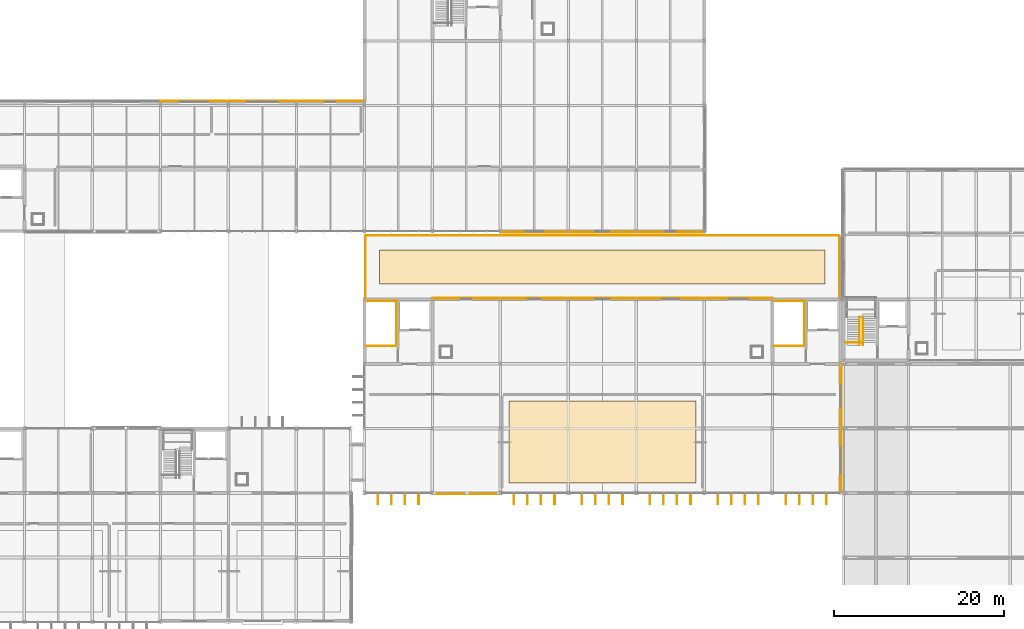
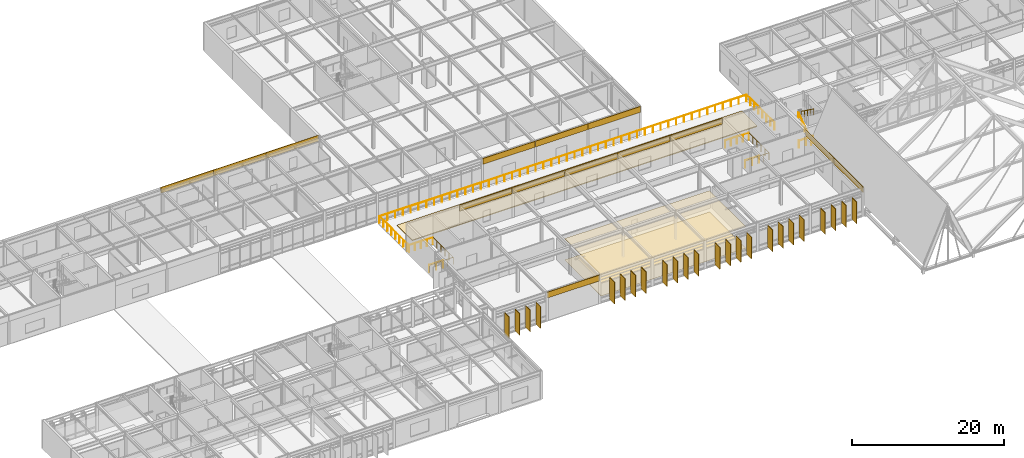
# One storey, part 97 of 100: 24 shading devices, 17 coverings, 10 railings.
"""IFC4 building model written with IfcOpenShell, lengths in metres."""

import ifcopenshell
import ifcopenshell.guid

model = None  # the IFC model being written
_history = None  # IfcOwnerHistory: only IFC2X3 demands one
_inside = {}  # id of a spatial element -> (the spatial element, [elements in it])
_under = {}  # id of a project, library or spatial element -> (it, [spatial elements below it])
_declared = {}  # id of a project -> (the project, [libraries it declares])
_typed = {}  # id of a type object -> (the type object, [elements of that type])
_made_of = {}  # id of a material, layer set ... -> (it, [elements and type objects made of it])


def new_model(schema):
    """Start an empty IFC model of exactly this schema.

    Asked for "IFC4X3", IfcOpenShell would pick the latest addendum, in which some entities
    have other attributes; the version numbers below select the first issue.
    IFC2X3 requires an IfcOwnerHistory on every rooted entity: one is made here for all.
    """
    global model, _history
    if schema == "IFC4X3":
        model = ifcopenshell.file(schema_version=(4, 3, 0, 0))
    else:
        model = ifcopenshell.file(schema=schema)
    _inside.clear()
    _under.clear()
    _declared.clear()
    _typed.clear()
    _made_of.clear()
    _history = None
    if model.schema == "IFC2X3":
        org = make("IfcOrganization", Name="unknown")
        user = make(
            "IfcPersonAndOrganization",
            ThePerson=make("IfcPerson", FamilyName="unknown"),
            TheOrganization=org,
        )
        app = make(
            "IfcApplication",
            ApplicationDeveloper=org,
            Version="unknown",
            ApplicationFullName="unknown",
            ApplicationIdentifier="unknown",
        )
        _history = make(
            "IfcOwnerHistory",
            OwningUser=user,
            OwningApplication=app,
            ChangeAction="ADDED",
            CreationDate=0,
        )
    return model


def make(cls, **values):
    """One entity of the class cls with the attributes given. An attribute that is None is left unset."""
    return model.create_entity(
        cls, **{name: value for name, value in values.items() if value is not None}
    )


def rooted(cls, **values):
    """An entity with a GlobalId (a new one), such as an element, a storey or a relation."""
    return make(cls, GlobalId=ifcopenshell.guid.new(), OwnerHistory=_history, **values)


def si_unit(unit_type, name, prefix=None):
    """IfcSIUnit, for example si_unit("LENGTHUNIT", "METRE", prefix="MILLI")."""
    return make("IfcSIUnit", UnitType=unit_type, Prefix=prefix, Name=name)


def assignment(units):
    """IfcUnitAssignment: the units of a project."""
    return None if units is None else make("IfcUnitAssignment", Units=units)


def point(xyz):
    """IfcCartesianPoint."""
    return None if xyz is None else make("IfcCartesianPoint", Coordinates=xyz)


def direction(xyz):
    """IfcDirection."""
    return None if xyz is None else make("IfcDirection", DirectionRatios=xyz)


def frame(location, z_axis=None, x_axis=None):
    """IfcAxis2Placement3D, a coordinate frame: its origin and axes. An axis left out is left unset."""
    return make(
        "IfcAxis2Placement3D",
        Location=point(location),
        Axis=direction(z_axis),
        RefDirection=direction(x_axis),
    )


def frame_2d(location, x_axis=None):
    """IfcAxis2Placement2D, a coordinate frame in the plane: its origin and x axis."""
    return make(
        "IfcAxis2Placement2D", Location=point(location), RefDirection=direction(x_axis)
    )


def origin():
    """The frame at (0, 0, 0) with its axes left unset."""
    return frame((0.0, 0.0, 0.0))


def origin_2d():
    """The frame at (0, 0) in the plane with its x axis left unset."""
    return frame_2d((0.0, 0.0))


def place(relative_to, where):
    """IfcLocalPlacement: puts the frame where relative to a parent placement (None: the world)."""
    return make(
        "IfcLocalPlacement", PlacementRelTo=relative_to, RelativePlacement=where
    )


def context(
    kind, dimensions, precision=None, world=None, true_north=None, identifier=None
):
    """IfcGeometricRepresentationContext, for example the 3D "Model" context."""
    return make(
        "IfcGeometricRepresentationContext",
        ContextIdentifier=identifier,
        ContextType=kind,
        CoordinateSpaceDimension=dimensions,
        Precision=precision,
        WorldCoordinateSystem=world,
        TrueNorth=true_north,
    )


def subcontext(parent, identifier, kind, view, scale=None):
    """IfcGeometricRepresentationSubContext, for example "Body" below "Model"."""
    return make(
        "IfcGeometricRepresentationSubContext",
        ContextIdentifier=identifier,
        ContextType=kind,
        ParentContext=parent,
        TargetScale=scale,
        TargetView=view,
    )


def project(units=None, contexts=None):
    """IfcProject with its units and contexts."""
    return rooted(
        "IfcProject",
        Name="project",
        RepresentationContexts=contexts,
        UnitsInContext=assignment(units),
    )


def spatial(cls, under=None, at=None, **own):
    """A site, building, storey or space (cls), placed at a placement, below another one or the project."""
    s = rooted(cls, ObjectPlacement=at, **own)
    if under is not None:
        _under.setdefault(under.id(), (under, []))[1].append(s)
    return s


def polyline(points):
    """IfcPolyline through the points."""
    return make("IfcPolyline", Points=[point(p) for p in points])


def profile(cls, at=None, kind="AREA", **sizes):
    """A parametric profile (cls). Its sizes go by their IFC names, for example OverallWidth=200.0."""
    return make(cls, ProfileType=kind, Position=at, **sizes)


def rectangle(**sizes):
    """IfcRectangleProfileDef."""
    return profile("IfcRectangleProfileDef", **sizes)


def circle(**sizes):
    """IfcCircleProfileDef."""
    return profile("IfcCircleProfileDef", **sizes)


def outline(outer, holes=None, kind="AREA"):
    """IfcArbitraryClosedProfileDef: a profile drawn as a closed curve; with holes, ...WithVoids."""
    if holes is None:
        return make("IfcArbitraryClosedProfileDef", ProfileType=kind, OuterCurve=outer)
    return make(
        "IfcArbitraryProfileDefWithVoids",
        ProfileType=kind,
        OuterCurve=outer,
        InnerCurves=holes,
    )


def extrude(swept, where, along, depth):
    """IfcExtrudedAreaSolid: the profile swept, set in the frame where, extruded along a direction by depth."""
    return make(
        "IfcExtrudedAreaSolid",
        SweptArea=swept,
        Position=where,
        ExtrudedDirection=direction(along),
        Depth=depth,
    )


def shape(context_of_items, identifier, shape_type, items):
    """IfcShapeRepresentation: the items that make up one representation, for example the "Body"."""
    return make(
        "IfcShapeRepresentation",
        ContextOfItems=context_of_items,
        RepresentationIdentifier=identifier,
        RepresentationType=shape_type,
        Items=items,
    )


def material(Name=None, Category=None):
    """IfcMaterial."""
    return make("IfcMaterial", Name=Name, Category=Category)


def layer(
    of_material, thickness, ventilated=None, Name=None, Category=None, Priority=None
):
    """IfcMaterialLayer: one layer of a wall or slab, of a material (None: an air gap)."""
    return make(
        "IfcMaterialLayer",
        Material=of_material,
        LayerThickness=thickness,
        IsVentilated=ventilated,
        Name=Name,
        Category=Category,
        Priority=Priority,
    )


def layer_set(layers, Name=None):
    """IfcMaterialLayerSet."""
    return make("IfcMaterialLayerSet", MaterialLayers=layers, LayerSetName=Name)


def made_of(thing, what):
    """Note that an element or type object is made of a material, layer set ...; save() writes the relation."""
    if what is not None:
        _made_of.setdefault(what.id(), (what, []))[1].append(thing)
    return thing


def type_object(cls, material=None, **own):
    """A type object (cls), such as IfcWallType, which elements share."""
    return made_of(rooted(cls, **own), material)


def element(
    cls,
    number,
    at=None,
    inside=None,
    cuts=None,
    type_object=None,
    material=None,
    context=None,
    identifier="Body",
    shape_type=None,
    held_by="IfcProductDefinitionShape",
    body=None,
    shapes=None,
    **own,
):
    """One element of the class cls, such as IfcWall. Its Tag is "e" and its number.

    at: its placement. inside: the storey or other place that contains it. cuts: it is an
    opening in that element (IfcRelVoidsElement). A single representation is given by context,
    identifier, shape_type and body (its items); several are given by shapes. held_by: the class
    of the entity that holds the representations. save() writes the other relations.
    """
    e = rooted(cls, Tag="e%d" % number, ObjectPlacement=at, **own)
    if body is not None:
        shapes = [shape(context, identifier, shape_type, body)]
    if shapes is not None:
        e.Representation = make(held_by, Representations=shapes)
    if inside is not None:
        _inside.setdefault(inside.id(), (inside, []))[1].append(e)
    if cuts is not None:
        rooted(
            "IfcRelVoidsElement", RelatingBuildingElement=cuts, RelatedOpeningElement=e
        )
    if type_object is not None:
        _typed.setdefault(type_object.id(), (type_object, []))[1].append(e)
    return made_of(e, material)


def aggregate(whole, parts):
    """IfcRelAggregates: a whole, such as a stair, and the parts it consists of."""
    return rooted("IfcRelAggregates", RelatingObject=whole, RelatedObjects=parts)


def save(model, path):
    """Write the relations noted so far, then the file.

    IfcRelAggregates (storeys below a building ...), IfcRelContainedInSpatialStructure (elements
    in a storey), IfcRelDefinesByType, IfcRelAssociatesMaterial and IfcRelDeclares: one each for
    every whole, place, type object, material and project.
    """
    for whole, parts in _under.values():
        aggregate(whole, parts)
    for where, things in _inside.values():
        rooted(
            "IfcRelContainedInSpatialStructure",
            RelatedElements=things,
            RelatingStructure=where,
        )
    for kind, things in _typed.values():
        rooted("IfcRelDefinesByType", RelatedObjects=things, RelatingType=kind)
    for what, things in _made_of.values():
        rooted("IfcRelAssociatesMaterial", RelatedObjects=things, RelatingMaterial=what)
    for by, libraries in _declared.values():
        rooted("IfcRelDeclares", RelatingContext=by, RelatedDefinitions=libraries)
    model.write(path)


model = new_model("IFC4")

# Units and contexts
model_context = context("Model", 3, precision=1e-05, world=origin(), true_north=direction((0.0, 1.0)))
body_context = subcontext(model_context, "Body", "Model", "MODEL_VIEW")
ifc_project = project(units=[si_unit("LENGTHUNIT", "METRE"), si_unit("AREAUNIT", "SQUARE_METRE"), si_unit("VOLUMEUNIT", "CUBIC_METRE"), si_unit("PLANEANGLEUNIT", "RADIAN"), si_unit("MASSUNIT", "GRAM", prefix="KILO")], contexts=[model_context])

# Site, building, storey
site_placement = place(None, origin())
site = spatial("IfcSite", under=ifc_project, at=site_placement, CompositionType="ELEMENT")
building_placement = place(site_placement, origin())
building = spatial("IfcBuilding", under=site, at=building_placement, Name="Zulena Civic Courthouse", CompositionType="ELEMENT")
storey_placement = place(building_placement, frame((0.0, 0.0, 20.39990234375)))
storey = spatial("IfcBuildingStorey", under=building, at=storey_placement, Name="L04", CompositionType="ELEMENT", Elevation=20.39990234375)

# Covering
ifc_material_1 = material(Name="Perforated acoustic mineral-fibre ceiling tile", Category="concrete")
ifc_layer_1 = layer(ifc_material_1, 0.02490234375)
ifc_layer_set_1 = layer_set([ifc_layer_1], Name="Perforated acoustic mineral-fibre ceiling tile")
covering_type_1 = type_object("IfcCoveringType", Name="AcousticCeiling_25", PredefinedType="CEILING", material=ifc_layer_set_1)
covering_1_placement = place(storey_placement, frame((0.0, 0.0, 3.420166015625)))
element("IfcCovering", 1, at=covering_1_placement, inside=storey, type_object=covering_type_1, Name="ceil:L04:255", PredefinedType="CEILING", context=body_context, shape_type="SweptSolid", body=[
    extrude(outline(polyline([(85.0, 16.39990234375), (107.0, 16.39990234375), (107.0, 26.0), (85.0, 26.0), (85.0, 16.39990234375)])), origin(), (0.0, 0.0, 1.0), 0.02490234375),
])

# Shading devices
ifc_material_2 = material(Name="Gold anodised architectural aluminium AA6063-T6", Category="aluminium")
shading_device_type = type_object("IfcShadingDeviceType", Name="GoldSolarFin_350", PredefinedType="USERDEFINED", material=ifc_material_2)
for number, where, z_axis, x_axis, name in (
    (2, (122.392822265625, 14.514892578125, 0.050048828125), (0.0, 0.0, 1.0), (0.0, -1.0, 0.0), "fin:V4:L04:3:0:1"),
    (3, (120.797607421875, 14.514892578125, 0.050048828125), (0.0, 0.0, 1.0), (0.0, -1.0, 0.0), "fin:V4:L04:3:0:2"),
    (4, (119.202392578125, 14.514892578125, 0.050048828125), (0.0, 0.0, 1.0), (0.0, -1.0, 0.0), "fin:V4:L04:3:0:3"),
    (5, (117.607177734375, 14.514892578125, 0.050048828125), (0.0, 0.0, 1.0), (0.0, -1.0, 0.0), "fin:V4:L04:3:0:4"),
    (6, (114.392822265625, 14.514892578125, 0.050048828125), (0.0, 0.0, 1.0), (0.0, -1.0, 0.0), "fin:V4:L04:3:1:1"),
    (7, (112.797607421875, 14.514892578125, 0.050048828125), (0.0, 0.0, 1.0), (0.0, -1.0, 0.0), "fin:V4:L04:3:1:2"),
    (8, (111.202392578125, 14.514892578125, 0.050048828125), (0.0, 0.0, 1.0), (0.0, -1.0, 0.0), "fin:V4:L04:3:1:3"),
    (9, (109.607177734375, 14.514892578125, 0.050048828125), (0.0, 0.0, 1.0), (0.0, -1.0, 0.0), "fin:V4:L04:3:1:4"),
    (10, (106.392822265625, 14.514892578125, 0.050048828125), (0.0, 0.0, 1.0), (0.0, -1.0, 0.0), "fin:V4:L04:3:2:1"),
    (11, (104.797607421875, 14.514892578125, 0.050048828125), (0.0, 0.0, 1.0), (0.0, -1.0, 0.0), "fin:V4:L04:3:2:2"),
    (12, (103.202392578125, 14.514892578125, 0.050048828125), (0.0, 0.0, 1.0), (0.0, -1.0, 0.0), "fin:V4:L04:3:2:3"),
    (13, (101.607177734375, 14.514892578125, 0.050048828125), (0.0, 0.0, 1.0), (0.0, -1.0, 0.0), "fin:V4:L04:3:2:4"),
    (14, (98.392822265625, 14.514892578125, 0.050048828125), (0.0, 0.0, 1.0), (0.0, -1.0, 0.0), "fin:V4:L04:3:3:1"),
    (15, (96.797607421875, 14.514892578125, 0.050048828125), (0.0, 0.0, 1.0), (0.0, -1.0, 0.0), "fin:V4:L04:3:3:2"),
    (16, (95.202392578125, 14.514892578125, 0.050048828125), (0.0, 0.0, 1.0), (0.0, -1.0, 0.0), "fin:V4:L04:3:3:3"),
    (17, (93.607177734375, 14.514892578125, 0.050048828125), (0.0, 0.0, 1.0), (0.0, -1.0, 0.0), "fin:V4:L04:3:3:4"),
    (18, (90.392822265625, 14.514892578125, 0.050048828125), (0.0, 0.0, 1.0), (0.0, -1.0, 0.0), "fin:V4:L04:3:4:1"),
    (19, (88.797607421875, 14.514892578125, 0.050048828125), (0.0, 0.0, 1.0), (0.0, -1.0, 0.0), "fin:V4:L04:3:4:2"),
    (20, (87.202392578125, 14.514892578125, 0.050048828125), (0.0, 0.0, 1.0), (0.0, -1.0, 0.0), "fin:V4:L04:3:4:3"),
    (21, (85.607177734375, 14.514892578125, 0.050048828125), (0.0, 0.0, 1.0), (0.0, -1.0, 0.0), "fin:V4:L04:3:4:4"),
    (22, (74.392822265625, 14.514892578125, 0.050048828125), (0.0, 0.0, 1.0), (0.0, -1.0, 0.0), "fin:V4:L04:3:6:1"),
    (23, (72.797607421875, 14.514892578125, 0.050048828125), (0.0, 0.0, 1.0), (0.0, -1.0, 0.0), "fin:V4:L04:3:6:2"),
    (24, (71.202392578125, 14.514892578125, 0.050048828125), (0.0, 0.0, 1.0), (0.0, -1.0, 0.0), "fin:V4:L04:3:6:3"),
    (25, (69.607177734375, 14.514892578125, 0.050048828125), (0.0, 0.0, 1.0), (0.0, -1.0, 0.0), "fin:V4:L04:3:6:4"),
):
    element("IfcShadingDevice", number, at=place(storey_placement, frame(where, z_axis=z_axis, x_axis=x_axis)), inside=storey, type_object=shading_device_type, Name=name, ObjectType="FIN", PredefinedType="USERDEFINED", context=body_context, shape_type="SweptSolid", body=[
        extrude(rectangle(XDim=1.25, YDim=0.080078125, at=origin_2d()), origin(), (0.0, 0.0, 1.0), 3.5),
    ])

# Railings
ifc_material_3 = material(Name="Brushed architectural steel ASTM A36", Category="steel")
railing_type_1 = type_object("IfcRailingType", Name="InteriorGuardrail_1150", PredefinedType="GUARDRAIL", material=ifc_material_3)
railing_1_placement = place(storey_placement, frame((124.580078125, 32.89990234375, 0.0)))
element("IfcRailing", 26, at=railing_1_placement, inside=storey, type_object=railing_type_1, Name="gr:wells:K3A:L04", PredefinedType="GUARDRAIL", context=body_context, shape_type="SweptSolid", body=[
    extrude(circle(Radius=0.02392578125, at=origin_2d()), frame((0.00390625, 0.0, 1.1259765625), z_axis=(1.0, 0.0, 0.0), x_axis=(0.0, 1.0, 0.0)), (0.0, 0.0, 1.0), 2.11181640625),
    extrude(circle(Radius=0.02099609375, at=origin_2d()), origin(), (0.0, 0.0, 1.0), 1.097900390625),
    extrude(circle(Radius=0.02099609375, at=origin_2d()), frame((1.06005859375, 0.0, 0.0)), (0.0, 0.0, 1.0), 1.097900390625),
    extrude(circle(Radius=0.02099609375, at=origin_2d()), frame((2.119873046875, 0.0, 0.0)), (0.0, 0.0, 1.0), 1.097900390625),
])
railing_2_placement = place(storey_placement, frame((68.199951171875, 37.81005859375, 0.0)))
element("IfcRailing", 27, at=railing_2_placement, inside=storey, type_object=railing_type_1, Name="gr:wellN:K4A:L03", PredefinedType="GUARDRAIL", context=body_context, shape_type="SweptSolid", body=[
    extrude(circle(Radius=0.02392578125, at=origin_2d()), frame((0.00390625, 0.0, 1.1259765625), z_axis=(1.0, 0.0, 0.0), x_axis=(0.0, 1.0, 0.0)), (0.0, 0.0, 1.0), 3.592041015625),
    extrude(circle(Radius=0.02099609375, at=origin_2d()), origin(), (0.0, 0.0, 1.0), 1.097900390625),
    extrude(circle(Radius=0.02099609375, at=origin_2d()), frame((0.89990234375, 0.0, 0.0)), (0.0, 0.0, 1.0), 1.097900390625),
    extrude(circle(Radius=0.02099609375, at=origin_2d()), frame((1.800048828125, 0.0, 0.0)), (0.0, 0.0, 1.0), 1.097900390625),
    extrude(circle(Radius=0.02099609375, at=origin_2d()), frame((2.7001953125, 0.0, 0.0)), (0.0, 0.0, 1.0), 1.097900390625),
    extrude(circle(Radius=0.02099609375, at=origin_2d()), frame((3.60009765625, 0.0, 0.0)), (0.0, 0.0, 1.0), 1.097900390625),
])
railing_3_placement = place(storey_placement, frame((71.800048828125, 37.820068359375, 0.0)))
element("IfcRailing", 28, at=railing_3_placement, inside=storey, type_object=railing_type_1, Name="gr:topwell:K4A:L03", PredefinedType="GUARDRAIL", context=body_context, shape_type="SweptSolid", body=[
    extrude(circle(Radius=0.02392578125, at=origin_2d()), frame((0.0, -0.00390625, 1.1259765625), z_axis=(0.0, -1.0, 0.0), x_axis=(1.0, 0.0, 0.0)), (0.0, 0.0, 1.0), 5.33203125),
    extrude(circle(Radius=0.02392578125, at=origin_2d()), frame((-0.00390625, -5.340087890625, 1.1259765625), z_axis=(-1.0, 0.0, 0.0), x_axis=(0.0, -1.0, 0.0)), (0.0, 0.0, 1.0), 3.612060546875),
    extrude(circle(Radius=0.02099609375, at=origin_2d()), origin(), (0.0, 0.0, 1.0), 1.097900390625),
    extrude(circle(Radius=0.02099609375, at=origin_2d()), frame((0.0, -1.068115234375, 0.0)), (0.0, 0.0, 1.0), 1.097900390625),
    extrude(circle(Radius=0.02099609375, at=origin_2d()), frame((0.0, -2.135986328125, 0.0)), (0.0, 0.0, 1.0), 1.097900390625),
    extrude(circle(Radius=0.02099609375, at=origin_2d()), frame((0.0, -3.2041015625, 0.0)), (0.0, 0.0, 1.0), 1.097900390625),
    extrude(circle(Radius=0.02099609375, at=origin_2d()), frame((0.0, -4.27197265625, 0.0)), (0.0, 0.0, 1.0), 1.097900390625),
    extrude(circle(Radius=0.02099609375, at=origin_2d()), frame((0.0, -5.340087890625, 0.0)), (0.0, 0.0, 1.0), 1.097900390625),
    extrude(circle(Radius=0.02099609375, at=origin_2d()), frame((-0.905029296875, -5.340087890625, 0.0)), (0.0, 0.0, 1.0), 1.097900390625),
    extrude(circle(Radius=0.02099609375, at=origin_2d()), frame((-1.81005859375, -5.340087890625, 0.0)), (0.0, 0.0, 1.0), 1.097900390625),
    extrude(circle(Radius=0.02099609375, at=origin_2d()), frame((-2.715087890625, -5.340087890625, 0.0)), (0.0, 0.0, 1.0), 1.097900390625),
    extrude(circle(Radius=0.02099609375, at=origin_2d()), frame((-3.6201171875, -5.340087890625, 0.0)), (0.0, 0.0, 1.0), 1.097900390625),
])
railing_4_placement = place(storey_placement, frame((68.179931640625, 32.5, 0.0)))
element("IfcRailing", 29, at=railing_4_placement, inside=storey, type_object=railing_type_1, Name="gr:wells:K4A:L04", PredefinedType="GUARDRAIL", context=body_context, shape_type="SweptSolid", body=[
    extrude(circle(Radius=0.02392578125, at=origin_2d()), frame((0.00390625, 0.0, 1.1259765625), z_axis=(1.0, 0.0, 0.0), x_axis=(0.0, 1.0, 0.0)), (0.0, 0.0, 1.0), 2.112060546875),
    extrude(circle(Radius=0.02099609375, at=origin_2d()), origin(), (0.0, 0.0, 1.0), 1.097900390625),
    extrude(circle(Radius=0.02099609375, at=origin_2d()), frame((1.06005859375, 0.0, 0.0)), (0.0, 0.0, 1.0), 1.097900390625),
    extrude(circle(Radius=0.02099609375, at=origin_2d()), frame((2.1201171875, 0.0, 0.0)), (0.0, 0.0, 1.0), 1.097900390625),
])
railing_5_placement = place(storey_placement, frame((116.199951171875, 37.81005859375, 0.0)))
element("IfcRailing", 30, at=railing_5_placement, inside=storey, type_object=railing_type_1, Name="gr:wellN:K4B:L03", PredefinedType="GUARDRAIL", context=body_context, shape_type="SweptSolid", body=[
    extrude(circle(Radius=0.02392578125, at=origin_2d()), frame((0.00390625, 0.0, 1.1259765625), z_axis=(1.0, 0.0, 0.0), x_axis=(0.0, 1.0, 0.0)), (0.0, 0.0, 1.0), 3.592041015625),
    extrude(circle(Radius=0.02099609375, at=origin_2d()), origin(), (0.0, 0.0, 1.0), 1.097900390625),
    extrude(circle(Radius=0.02099609375, at=origin_2d()), frame((0.89990234375, 0.0, 0.0)), (0.0, 0.0, 1.0), 1.097900390625),
    extrude(circle(Radius=0.02099609375, at=origin_2d()), frame((1.800048828125, 0.0, 0.0)), (0.0, 0.0, 1.0), 1.097900390625),
    extrude(circle(Radius=0.02099609375, at=origin_2d()), frame((2.7001953125, 0.0, 0.0)), (0.0, 0.0, 1.0), 1.097900390625),
    extrude(circle(Radius=0.02099609375, at=origin_2d()), frame((3.60009765625, 0.0, 0.0)), (0.0, 0.0, 1.0), 1.097900390625),
])
railing_6_placement = place(storey_placement, frame((119.800048828125, 37.820068359375, 0.0)))
element("IfcRailing", 31, at=railing_6_placement, inside=storey, type_object=railing_type_1, Name="gr:topwell:K4B:L03", PredefinedType="GUARDRAIL", context=body_context, shape_type="SweptSolid", body=[
    extrude(circle(Radius=0.02392578125, at=origin_2d()), frame((0.0, -0.00390625, 1.1259765625), z_axis=(0.0, -1.0, 0.0), x_axis=(1.0, 0.0, 0.0)), (0.0, 0.0, 1.0), 5.33203125),
    extrude(circle(Radius=0.02392578125, at=origin_2d()), frame((-0.00390625, -5.340087890625, 1.1259765625), z_axis=(-1.0, 0.0, 0.0), x_axis=(0.0, -1.0, 0.0)), (0.0, 0.0, 1.0), 3.612060546875),
    extrude(circle(Radius=0.02099609375, at=origin_2d()), origin(), (0.0, 0.0, 1.0), 1.097900390625),
    extrude(circle(Radius=0.02099609375, at=origin_2d()), frame((0.0, -1.068115234375, 0.0)), (0.0, 0.0, 1.0), 1.097900390625),
    extrude(circle(Radius=0.02099609375, at=origin_2d()), frame((0.0, -2.135986328125, 0.0)), (0.0, 0.0, 1.0), 1.097900390625),
    extrude(circle(Radius=0.02099609375, at=origin_2d()), frame((0.0, -3.2041015625, 0.0)), (0.0, 0.0, 1.0), 1.097900390625),
    extrude(circle(Radius=0.02099609375, at=origin_2d()), frame((0.0, -4.27197265625, 0.0)), (0.0, 0.0, 1.0), 1.097900390625),
    extrude(circle(Radius=0.02099609375, at=origin_2d()), frame((0.0, -5.340087890625, 0.0)), (0.0, 0.0, 1.0), 1.097900390625),
    extrude(circle(Radius=0.02099609375, at=origin_2d()), frame((-0.905029296875, -5.340087890625, 0.0)), (0.0, 0.0, 1.0), 1.097900390625),
    extrude(circle(Radius=0.02099609375, at=origin_2d()), frame((-1.81005859375, -5.340087890625, 0.0)), (0.0, 0.0, 1.0), 1.097900390625),
    extrude(circle(Radius=0.02099609375, at=origin_2d()), frame((-2.715087890625, -5.340087890625, 0.0)), (0.0, 0.0, 1.0), 1.097900390625),
    extrude(circle(Radius=0.02099609375, at=origin_2d()), frame((-3.6201171875, -5.340087890625, 0.0)), (0.0, 0.0, 1.0), 1.097900390625),
])
railing_7_placement = place(storey_placement, frame((116.179931640625, 32.5, 0.0)))
element("IfcRailing", 32, at=railing_7_placement, inside=storey, type_object=railing_type_1, Name="gr:wells:K4B:L04", PredefinedType="GUARDRAIL", context=body_context, shape_type="SweptSolid", body=[
    extrude(circle(Radius=0.02392578125, at=origin_2d()), frame((0.00390625, 0.0, 1.1259765625), z_axis=(1.0, 0.0, 0.0), x_axis=(0.0, 1.0, 0.0)), (0.0, 0.0, 1.0), 2.112060546875),
    extrude(circle(Radius=0.02099609375, at=origin_2d()), origin(), (0.0, 0.0, 1.0), 1.097900390625),
    extrude(circle(Radius=0.02099609375, at=origin_2d()), frame((1.06005859375, 0.0, 0.0)), (0.0, 0.0, 1.0), 1.097900390625),
    extrude(circle(Radius=0.02099609375, at=origin_2d()), frame((2.1201171875, 0.0, 0.0)), (0.0, 0.0, 1.0), 1.097900390625),
])

# Coverings
ifc_material_4 = material(Name="Planted vegetated roof substrate and turf", Category="concrete")
ifc_layer_2 = layer(ifc_material_4, 0.139892578125)
ifc_layer_set_2 = layer_set([ifc_layer_2], Name="Planted vegetated roof substrate and turf")
covering_type_2 = type_object("IfcCoveringType", Name="PlantedGardenTopping_140", PredefinedType="ROOFING", material=ifc_layer_set_2)
covering_2_placement = place(storey_placement, origin())
element("IfcCovering", 33, at=covering_2_placement, inside=storey, type_object=covering_type_2, Name="cov:garden:TR-V4-L04", PredefinedType="ROOFING", context=body_context, shape_type="SweptSolid", body=[
    extrude(outline(polyline([(69.800048828125, 39.800048828125), (122.199951171875, 39.800048828125), (122.199951171875, 43.800048828125), (69.800048828125, 43.800048828125), (69.800048828125, 39.800048828125)])), origin(), (0.0, 0.0, 1.0), 0.14013671875),
])
ifc_material_5 = material(Name="White architectural precast concrete C40/50", Category="concrete")
ifc_layer_3 = layer(ifc_material_5, 0.0849609375)
ifc_layer_set_3 = layer_set([ifc_layer_3], Name="White architectural precast concrete C40/50")
covering_type_3 = type_object("IfcCoveringType", Name="PrecastSpandrelCladding_85", PredefinedType="CLADDING", material=ifc_layer_set_3)
for number, where, z_axis, x_axis, name in (
    (34, (80.0, 38.1201171875, 3.66015625), (0.0, 0.0, 1.0), (1.0, 0.0, 0.0), "clad:sp:V4:L04:1:1"),
    (35, (88.0, 38.1201171875, 3.66015625), (0.0, 0.0, 1.0), (1.0, 0.0, 0.0), "clad:sp:V4:L04:1:2"),
    (36, (96.0, 38.1201171875, 3.66015625), (0.0, 0.0, 1.0), (1.0, 0.0, 0.0), "clad:sp:V4:L04:1:3"),
    (37, (104.0, 38.1201171875, 3.66015625), (0.0, 0.0, 1.0), (1.0, 0.0, 0.0), "clad:sp:V4:L04:1:4"),
    (38, (112.0, 38.1201171875, 3.66015625), (0.0, 0.0, 1.0), (1.0, 0.0, 0.0), "clad:sp:V4:L04:1:5"),
):
    element("IfcCovering", number, at=place(storey_placement, frame(where, z_axis=z_axis, x_axis=x_axis)), inside=storey, type_object=covering_type_3, Name=name, PredefinedType="CLADDING", context=body_context, shape_type="SweptSolid", body=[
        extrude(rectangle(XDim=7.9599609375, YDim=0.0849609375, at=origin_2d()), origin(), (0.0, 0.0, 1.0), 0.93994140625),
    ])
for number, where, z_axis, x_axis, name in (
    (39, (124.1201171875, 26.60009765625, 3.66015625), (0.0, 0.0, 1.0), (0.0, -1.0, 0.0), "clad:sp:V4:L04:2:1"),
    (40, (124.1201171875, 19.0, 3.66015625), (0.0, 0.0, 1.0), (0.0, -1.0, 0.0), "clad:sp:V4:L04:2:2"),
):
    element("IfcCovering", number, at=place(storey_placement, frame(where, z_axis=z_axis, x_axis=x_axis)), inside=storey, type_object=covering_type_3, Name=name, PredefinedType="CLADDING", context=body_context, shape_type="SweptSolid", body=[
        extrude(rectangle(XDim=7.56005859375, YDim=0.0849609375, at=origin_2d()), origin(), (0.0, 0.0, 1.0), 0.93994140625),
    ])
for number, where, z_axis, x_axis, name in (
    (41, (80.0, 15.080078125, 3.66015625), (0.0, 0.0, 1.0), (-1.0, 0.0, 0.0), "clad:sp:V4:L04:3:5"),
    (42, (48.0, 61.320068359375, 3.66015625), (0.0, 0.0, 1.0), (1.0, 0.0, 0.0), "clad:sp:V5:L04:1:5"),
    (43, (56.0, 61.320068359375, 3.66015625), (0.0, 0.0, 1.0), (1.0, 0.0, 0.0), "clad:sp:V5:L04:1:6"),
    (44, (64.0, 61.320068359375, 3.66015625), (0.0, 0.0, 1.0), (1.0, 0.0, 0.0), "clad:sp:V5:L04:1:7"),
    (45, (104.0, 45.8798828125, 3.66015625), (0.0, 0.0, 1.0), (-1.0, 0.0, 0.0), "clad:sp:V5:L04:5:0"),
    (46, (96.0, 45.8798828125, 3.66015625), (0.0, 0.0, 1.0), (-1.0, 0.0, 0.0), "clad:sp:V5:L04:5:1"),
    (47, (88.0, 45.8798828125, 3.66015625), (0.0, 0.0, 1.0), (-1.0, 0.0, 0.0), "clad:sp:V5:L04:5:2"),
):
    element("IfcCovering", number, at=place(storey_placement, frame(where, z_axis=z_axis, x_axis=x_axis)), inside=storey, type_object=covering_type_3, Name=name, PredefinedType="CLADDING", context=body_context, shape_type="SweptSolid", body=[
        extrude(rectangle(XDim=7.9599609375, YDim=0.0849609375, at=origin_2d()), origin(), (0.0, 0.0, 1.0), 0.93994140625),
    ])

# Railings
railing_type_2 = type_object("IfcRailingType", Name="StairHandrail_920", PredefinedType="HANDRAIL", material=ifc_material_3)
railing_8_placement = place(storey_placement, frame((126.25, 32.580078125, 0.0)))
element("IfcRailing", 48, at=railing_8_placement, inside=storey, type_object=railing_type_2, Name="hr:K3A:L04:1", PredefinedType="HANDRAIL", context=body_context, shape_type="SweptSolid", body=[
    extrude(circle(Radius=0.02392578125, at=origin_2d()), frame((0.0, 0.003173828125, 0.898193359375), z_axis=(0.0, 0.809939189741, 0.586513860809), x_axis=(-1.0, 0.0, 0.0)), (0.0, 0.0, 1.0), 4.084228515625),
    extrude(circle(Radius=0.02099609375, at=origin_2d()), origin(), (0.0, 0.0, 1.0), 0.867919921875),
    extrude(circle(Radius=0.02099609375, at=origin_2d()), frame((0.0, 0.82861328125, 0.60009765625)), (0.0, 0.0, 1.0), 0.867919921875),
    extrude(circle(Radius=0.02099609375, at=origin_2d()), frame((0.0, 1.6572265625, 1.2001953125)), (0.0, 0.0, 1.0), 0.867919921875),
    extrude(circle(Radius=0.02099609375, at=origin_2d()), frame((0.0, 2.48583984375, 1.800048828125)), (0.0, 0.0, 1.0), 0.867919921875),
    extrude(circle(Radius=0.02099609375, at=origin_2d()), frame((0.0, 3.314453125, 2.400146484375)), (0.0, 0.0, 1.0), 0.867919921875),
])
railing_9_placement = place(storey_placement, frame((126.64990234375, 35.89453125, 2.400146484375)))
element("IfcRailing", 49, at=railing_9_placement, inside=storey, type_object=railing_type_2, Name="hr:K3A:L04:2", PredefinedType="HANDRAIL", context=body_context, shape_type="SweptSolid", body=[
    extrude(circle(Radius=0.02392578125, at=origin_2d()), frame((0.0, -0.003173828125, 0.898193359375), z_axis=(0.0, -0.809967530533, 0.586474721946), x_axis=(1.0, 0.0, 0.0)), (0.0, 0.0, 1.0), 4.083984375),
    extrude(circle(Radius=0.02099609375, at=origin_2d()), origin(), (0.0, 0.0, 1.0), 0.867919921875),
    extrude(circle(Radius=0.02099609375, at=origin_2d()), frame((0.0, -0.82861328125, 0.60009765625)), (0.0, 0.0, 1.0), 0.867919921875),
    extrude(circle(Radius=0.02099609375, at=origin_2d()), frame((0.0, -1.6572265625, 1.199951171875)), (0.0, 0.0, 1.0), 0.867919921875),
    extrude(circle(Radius=0.02099609375, at=origin_2d()), frame((0.0, -2.48583984375, 1.7998046875)), (0.0, 0.0, 1.0), 0.867919921875),
    extrude(circle(Radius=0.02099609375, at=origin_2d()), frame((0.0, -3.314453125, 2.39990234375)), (0.0, 0.0, 1.0), 0.867919921875),
])
ifc_material_6 = material(Name="Bronze-painted architectural steel ASTM A36", Category="steel")
railing_type_3 = type_object("IfcRailingType", Name="TerraceBalustrade_1150", PredefinedType="BALUSTRADE", material=ifc_material_6)
railing_10_placement = place(storey_placement, frame((68.1201171875, 38.10009765625, 0.0)))
element("IfcRailing", 50, at=railing_10_placement, inside=storey, type_object=railing_type_3, Name="guard:terrace:TR-V4-L04:0", PredefinedType="BALUSTRADE", context=body_context, shape_type="SweptSolid", body=[
    extrude(circle(Radius=0.02392578125, at=origin_2d()), frame((0.0, 0.00390625, 1.1259765625), z_axis=(0.0, 1.0, 0.0), x_axis=(-1.0, 0.0, 0.0)), (0.0, 0.0, 1.0), 7.371826171875),
    extrude(circle(Radius=0.02392578125, at=origin_2d()), frame((0.00390625, 7.3798828125, 1.1259765625), z_axis=(1.0, 0.0, 0.0), x_axis=(0.0, 1.0, 0.0)), (0.0, 0.0, 1.0), 55.751708984375),
    extrude(circle(Radius=0.02392578125, at=origin_2d()), frame((55.759765625, 7.3759765625, 1.1259765625), z_axis=(0.0, -1.0, 0.0), x_axis=(1.0, 0.0, 0.0)), (0.0, 0.0, 1.0), 7.371826171875),
    extrude(circle(Radius=0.02099609375, at=origin_2d()), origin(), (0.0, 0.0, 1.0), 1.097900390625),
    extrude(circle(Radius=0.02099609375, at=origin_2d()), frame((0.0, 1.05419921875, 0.0)), (0.0, 0.0, 1.0), 1.097900390625),
    extrude(circle(Radius=0.02099609375, at=origin_2d()), frame((0.0, 2.108642578125, 0.0)), (0.0, 0.0, 1.0), 1.097900390625),
    extrude(circle(Radius=0.02099609375, at=origin_2d()), frame((0.0, 3.162841796875, 0.0)), (0.0, 0.0, 1.0), 1.097900390625),
    extrude(circle(Radius=0.02099609375, at=origin_2d()), frame((0.0, 4.217041015625, 0.0)), (0.0, 0.0, 1.0), 1.097900390625),
    extrude(circle(Radius=0.02099609375, at=origin_2d()), frame((0.0, 5.271240234375, 0.0)), (0.0, 0.0, 1.0), 1.097900390625),
    extrude(circle(Radius=0.02099609375, at=origin_2d()), frame((0.0, 6.32568359375, 0.0)), (0.0, 0.0, 1.0), 1.097900390625),
    extrude(circle(Radius=0.02099609375, at=origin_2d()), frame((0.0, 7.3798828125, 0.0)), (0.0, 0.0, 1.0), 1.097900390625),
    extrude(circle(Radius=0.02099609375, at=origin_2d()), frame((1.186279296875, 7.3798828125, 0.0)), (0.0, 0.0, 1.0), 1.097900390625),
    extrude(circle(Radius=0.02099609375, at=origin_2d()), frame((2.372802734375, 7.3798828125, 0.0)), (0.0, 0.0, 1.0), 1.097900390625),
    extrude(circle(Radius=0.02099609375, at=origin_2d()), frame((3.55908203125, 7.3798828125, 0.0)), (0.0, 0.0, 1.0), 1.097900390625),
    extrude(circle(Radius=0.02099609375, at=origin_2d()), frame((4.74560546875, 7.3798828125, 0.0)), (0.0, 0.0, 1.0), 1.097900390625),
    extrude(circle(Radius=0.02099609375, at=origin_2d()), frame((5.931884765625, 7.3798828125, 0.0)), (0.0, 0.0, 1.0), 1.097900390625),
    extrude(circle(Radius=0.02099609375, at=origin_2d()), frame((7.1181640625, 7.3798828125, 0.0)), (0.0, 0.0, 1.0), 1.097900390625),
    extrude(circle(Radius=0.02099609375, at=origin_2d()), frame((8.3046875, 7.3798828125, 0.0)), (0.0, 0.0, 1.0), 1.097900390625),
    extrude(circle(Radius=0.02099609375, at=origin_2d()), frame((9.490966796875, 7.3798828125, 0.0)), (0.0, 0.0, 1.0), 1.097900390625),
    extrude(circle(Radius=0.02099609375, at=origin_2d()), frame((10.677490234375, 7.3798828125, 0.0)), (0.0, 0.0, 1.0), 1.097900390625),
    extrude(circle(Radius=0.02099609375, at=origin_2d()), frame((11.86376953125, 7.3798828125, 0.0)), (0.0, 0.0, 1.0), 1.097900390625),
    extrude(circle(Radius=0.02099609375, at=origin_2d()), frame((13.050048828125, 7.3798828125, 0.0)), (0.0, 0.0, 1.0), 1.097900390625),
    extrude(circle(Radius=0.02099609375, at=origin_2d()), frame((14.236572265625, 7.3798828125, 0.0)), (0.0, 0.0, 1.0), 1.097900390625),
    extrude(circle(Radius=0.02099609375, at=origin_2d()), frame((15.4228515625, 7.3798828125, 0.0)), (0.0, 0.0, 1.0), 1.097900390625),
    extrude(circle(Radius=0.02099609375, at=origin_2d()), frame((16.609375, 7.3798828125, 0.0)), (0.0, 0.0, 1.0), 1.097900390625),
    extrude(circle(Radius=0.02099609375, at=origin_2d()), frame((17.795654296875, 7.3798828125, 0.0)), (0.0, 0.0, 1.0), 1.097900390625),
    extrude(circle(Radius=0.02099609375, at=origin_2d()), frame((18.98193359375, 7.3798828125, 0.0)), (0.0, 0.0, 1.0), 1.097900390625),
    extrude(circle(Radius=0.02099609375, at=origin_2d()), frame((20.16845703125, 7.3798828125, 0.0)), (0.0, 0.0, 1.0), 1.097900390625),
    extrude(circle(Radius=0.02099609375, at=origin_2d()), frame((21.354736328125, 7.3798828125, 0.0)), (0.0, 0.0, 1.0), 1.097900390625),
    extrude(circle(Radius=0.02099609375, at=origin_2d()), frame((22.541259765625, 7.3798828125, 0.0)), (0.0, 0.0, 1.0), 1.097900390625),
    extrude(circle(Radius=0.02099609375, at=origin_2d()), frame((23.7275390625, 7.3798828125, 0.0)), (0.0, 0.0, 1.0), 1.097900390625),
    extrude(circle(Radius=0.02099609375, at=origin_2d()), frame((24.913818359375, 7.3798828125, 0.0)), (0.0, 0.0, 1.0), 1.097900390625),
    extrude(circle(Radius=0.02099609375, at=origin_2d()), frame((26.100341796875, 7.3798828125, 0.0)), (0.0, 0.0, 1.0), 1.097900390625),
    extrude(circle(Radius=0.02099609375, at=origin_2d()), frame((27.28662109375, 7.3798828125, 0.0)), (0.0, 0.0, 1.0), 1.097900390625),
    extrude(circle(Radius=0.02099609375, at=origin_2d()), frame((28.47314453125, 7.3798828125, 0.0)), (0.0, 0.0, 1.0), 1.097900390625),
    extrude(circle(Radius=0.02099609375, at=origin_2d()), frame((29.659423828125, 7.3798828125, 0.0)), (0.0, 0.0, 1.0), 1.097900390625),
    extrude(circle(Radius=0.02099609375, at=origin_2d()), frame((30.845947265625, 7.3798828125, 0.0)), (0.0, 0.0, 1.0), 1.097900390625),
    extrude(circle(Radius=0.02099609375, at=origin_2d()), frame((32.0322265625, 7.3798828125, 0.0)), (0.0, 0.0, 1.0), 1.097900390625),
    extrude(circle(Radius=0.02099609375, at=origin_2d()), frame((33.218505859375, 7.3798828125, 0.0)), (0.0, 0.0, 1.0), 1.097900390625),
    extrude(circle(Radius=0.02099609375, at=origin_2d()), frame((34.405029296875, 7.3798828125, 0.0)), (0.0, 0.0, 1.0), 1.097900390625),
    extrude(circle(Radius=0.02099609375, at=origin_2d()), frame((35.59130859375, 7.3798828125, 0.0)), (0.0, 0.0, 1.0), 1.097900390625),
    extrude(circle(Radius=0.02099609375, at=origin_2d()), frame((36.77783203125, 7.3798828125, 0.0)), (0.0, 0.0, 1.0), 1.097900390625),
    extrude(circle(Radius=0.02099609375, at=origin_2d()), frame((37.964111328125, 7.3798828125, 0.0)), (0.0, 0.0, 1.0), 1.097900390625),
    extrude(circle(Radius=0.02099609375, at=origin_2d()), frame((39.150390625, 7.3798828125, 0.0)), (0.0, 0.0, 1.0), 1.097900390625),
    extrude(circle(Radius=0.02099609375, at=origin_2d()), frame((40.3369140625, 7.3798828125, 0.0)), (0.0, 0.0, 1.0), 1.097900390625),
    extrude(circle(Radius=0.02099609375, at=origin_2d()), frame((41.523193359375, 7.3798828125, 0.0)), (0.0, 0.0, 1.0), 1.097900390625),
    extrude(circle(Radius=0.02099609375, at=origin_2d()), frame((42.709716796875, 7.3798828125, 0.0)), (0.0, 0.0, 1.0), 1.097900390625),
    extrude(circle(Radius=0.02099609375, at=origin_2d()), frame((43.89599609375, 7.3798828125, 0.0)), (0.0, 0.0, 1.0), 1.097900390625),
    extrude(circle(Radius=0.02099609375, at=origin_2d()), frame((45.082275390625, 7.3798828125, 0.0)), (0.0, 0.0, 1.0), 1.097900390625),
    extrude(circle(Radius=0.02099609375, at=origin_2d()), frame((46.268798828125, 7.3798828125, 0.0)), (0.0, 0.0, 1.0), 1.097900390625),
    extrude(circle(Radius=0.02099609375, at=origin_2d()), frame((47.455078125, 7.3798828125, 0.0)), (0.0, 0.0, 1.0), 1.097900390625),
    extrude(circle(Radius=0.02099609375, at=origin_2d()), frame((48.6416015625, 7.3798828125, 0.0)), (0.0, 0.0, 1.0), 1.097900390625),
    extrude(circle(Radius=0.02099609375, at=origin_2d()), frame((49.827880859375, 7.3798828125, 0.0)), (0.0, 0.0, 1.0), 1.097900390625),
    extrude(circle(Radius=0.02099609375, at=origin_2d()), frame((51.01416015625, 7.3798828125, 0.0)), (0.0, 0.0, 1.0), 1.097900390625),
    extrude(circle(Radius=0.02099609375, at=origin_2d()), frame((52.20068359375, 7.3798828125, 0.0)), (0.0, 0.0, 1.0), 1.097900390625),
    extrude(circle(Radius=0.02099609375, at=origin_2d()), frame((53.386962890625, 7.3798828125, 0.0)), (0.0, 0.0, 1.0), 1.097900390625),
    extrude(circle(Radius=0.02099609375, at=origin_2d()), frame((54.573486328125, 7.3798828125, 0.0)), (0.0, 0.0, 1.0), 1.097900390625),
    extrude(circle(Radius=0.02099609375, at=origin_2d()), frame((55.759765625, 7.3798828125, 0.0)), (0.0, 0.0, 1.0), 1.097900390625),
    extrude(circle(Radius=0.02099609375, at=origin_2d()), frame((55.759765625, 6.32568359375, 0.0)), (0.0, 0.0, 1.0), 1.097900390625),
    extrude(circle(Radius=0.02099609375, at=origin_2d()), frame((55.759765625, 5.271240234375, 0.0)), (0.0, 0.0, 1.0), 1.097900390625),
    extrude(circle(Radius=0.02099609375, at=origin_2d()), frame((55.759765625, 4.217041015625, 0.0)), (0.0, 0.0, 1.0), 1.097900390625),
    extrude(circle(Radius=0.02099609375, at=origin_2d()), frame((55.759765625, 3.162841796875, 0.0)), (0.0, 0.0, 1.0), 1.097900390625),
    extrude(circle(Radius=0.02099609375, at=origin_2d()), frame((55.759765625, 2.108642578125, 0.0)), (0.0, 0.0, 1.0), 1.097900390625),
    extrude(circle(Radius=0.02099609375, at=origin_2d()), frame((55.759765625, 1.05419921875, 0.0)), (0.0, 0.0, 1.0), 1.097900390625),
    extrude(circle(Radius=0.02099609375, at=origin_2d()), frame((55.759765625, 0.0, 0.0)), (0.0, 0.0, 1.0), 1.097900390625),
])

# Covering
ifc_material_7 = material(Name="Honed travertine stone flooring", Category="masonry")
ifc_layer_4 = layer(ifc_material_7, 0.030029296875)
ifc_layer_set_4 = layer_set([ifc_layer_4], Name="Honed travertine stone flooring")
covering_type_4 = type_object("IfcCoveringType", Name="TravertineFlooring_30", PredefinedType="FLOORING", material=ifc_layer_set_4)
covering_3_placement = place(storey_placement, origin())
element("IfcCovering", 51, at=covering_3_placement, inside=storey, type_object=covering_type_4, Name="floor:L04:255", PredefinedType="FLOORING", context=body_context, shape_type="SweptSolid", body=[
    extrude(outline(polyline([(85.0, 16.39990234375), (107.0, 16.39990234375), (107.0, 26.0), (85.0, 26.0), (85.0, 16.39990234375)])), origin(), (0.0, 0.0, 1.0), 0.030029296875),
])

save(model, "model.ifc")
